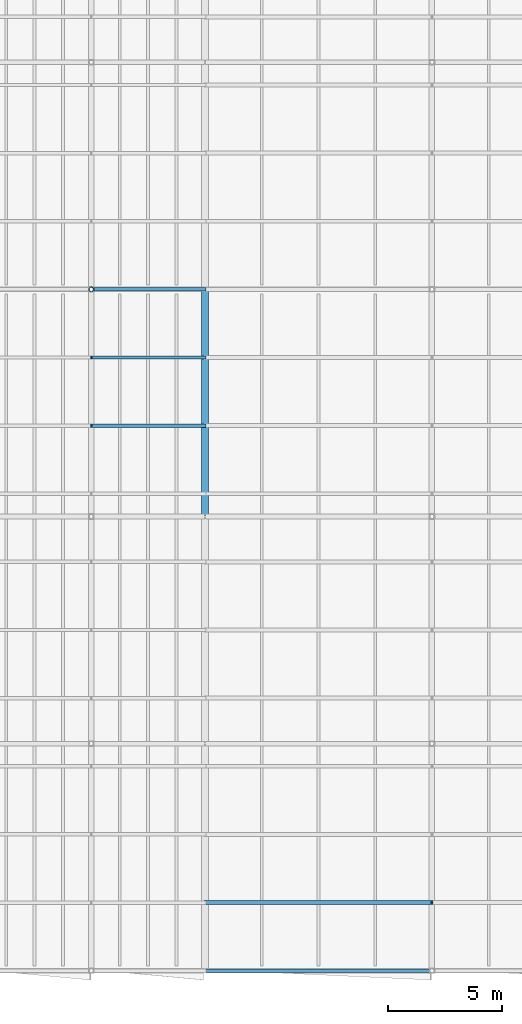
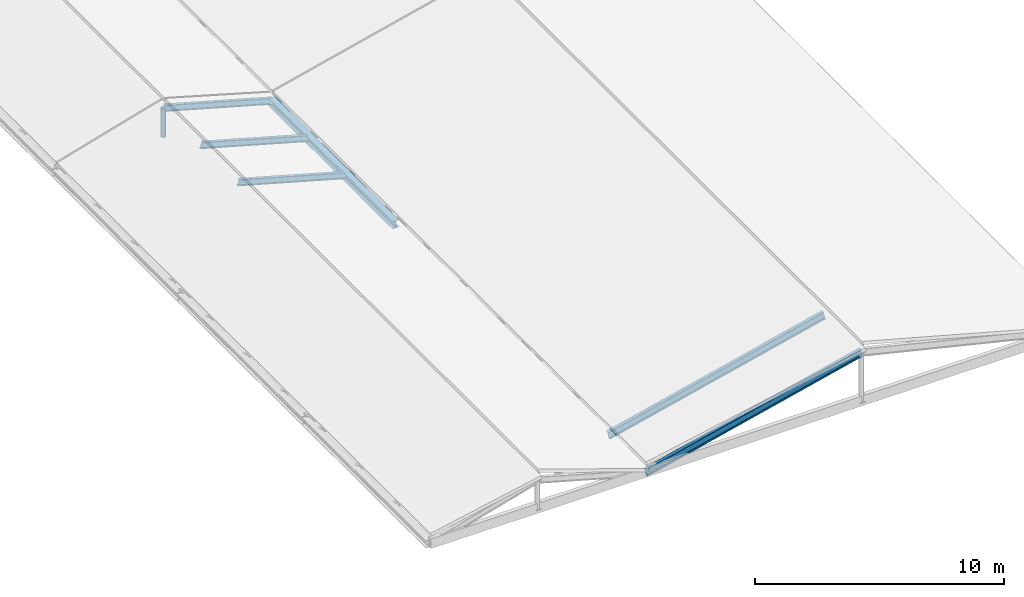
# One storey, part 59 of 90: 6 members, 1 beam.
"""IFC4 building model written with IfcOpenShell, lengths in metres."""

from ifc_helpers import new_model, si_unit, direction, frame, origin, origin_2d, place, context, subcontext, project, spatial, hollow_circle, i_section, extrude, material, material_profile, profile_set, type_object, element, save


model = new_model("IFC4")

# Units and contexts
model_context = context("Model", 3, precision=1e-05, world=origin(), true_north=direction((0.0, 1.0)))
body_context = subcontext(model_context, "Body", "Model", "MODEL_VIEW")
ifc_project = project(units=[si_unit("LENGTHUNIT", "METRE"), si_unit("AREAUNIT", "SQUARE_METRE"), si_unit("VOLUMEUNIT", "CUBIC_METRE"), si_unit("PLANEANGLEUNIT", "RADIAN"), si_unit("MASSUNIT", "GRAM", prefix="KILO"), si_unit("THERMODYNAMICTEMPERATUREUNIT", "KELVIN"), si_unit("POWERUNIT", "WATT")], contexts=[model_context])

# Site, building, storey
site_placement = place(None, origin())
site = spatial("IfcSite", under=ifc_project, at=site_placement, CompositionType="ELEMENT")
building_placement = place(site_placement, origin())
building = spatial("IfcBuilding", under=site, at=building_placement, Name="Korenveer Ferry Terminal", CompositionType="ELEMENT")
storey_placement = place(building_placement, frame((0.0, 0.0, 22.199951171875)))
storey = spatial("IfcBuildingStorey", under=building, at=storey_placement, Name="RF", CompositionType="ELEMENT", Elevation=22.199951171875)

# Beam
ifc_material = material(Name="Steel S355", Category="steel")
ifc_material_profile_1 = material_profile(ifc_material, i_section(OverallWidth=0.300048828125, OverallDepth=0.360107421875, WebThickness=0.012451171875, FlangeThickness=0.0224609375, FilletRadius=0.027099609375, at=origin_2d()), Name="HEB 360")
ifc_profile_set_1 = profile_set([ifc_material_profile_1], Name="Steel S355")
beam_type = type_object("IfcBeamType", Name="STR-BM-HEB360", PredefinedType="BEAM", material=ifc_profile_set_1)
beam_placement = place(storey_placement, frame((156.0, 40.02001953125, -7.619873046875), z_axis=(0.0, 1.0, 0.0), x_axis=(-1.0, 0.0, 0.0)))
element("IfcBeam", 1, at=beam_placement, inside=storey, type_object=beam_type, Name="Wing eave beam EAST 140", PredefinedType="BEAM", context=body_context, shape_type="SweptSolid", body=[
    extrude(i_section(OverallWidth=0.300048828125, OverallDepth=0.360107421875, WebThickness=0.012451171875, FlangeThickness=0.0224609375, FilletRadius=0.027099609375, at=origin_2d()), origin(), (0.0, 0.0, 1.0), 9.9599609375),
])

# Members
ifc_material_profile_2 = material_profile(ifc_material, i_section(OverallWidth=0.14990234375, OverallDepth=0.300048828125, WebThickness=0.007080078125, FlangeThickness=0.0107421875, FilletRadius=0.014892578125, at=origin_2d()), Name="IPE 300")
ifc_profile_set_2 = profile_set([ifc_material_profile_2], Name="Steel S355")
member_type_1 = type_object("IfcMemberType", Name="STR-RAF-IPE300", PredefinedType="RAFTER", material=ifc_profile_set_2)
for number, where, z_axis, x_axis, name in (
    (2, (151.0, 44.0, -6.219970703125), (0.962968902935, 0.0, -0.269612484836), (0.0, 1.0, 0.0), "Pitched roof rafter 60"),
    (3, (151.0, 47.0, -6.219970703125), (0.962968902935, 0.0, -0.269612484836), (0.0, 1.0, 0.0), "Pitched roof rafter 62"),
    (4, (151.0, 50.0, -6.219970703125), (0.962968902935, 0.0, -0.269612484836), (0.0, 1.0, 0.0), "Pitched roof rafter 64"),
):
    element("IfcMember", number, at=place(storey_placement, frame(where, z_axis=z_axis, x_axis=x_axis)), inside=storey, type_object=member_type_1, Name=name, PredefinedType="RAFTER", context=body_context, shape_type="SweptSolid", body=[
        extrude(i_section(OverallWidth=0.14990234375, OverallDepth=0.300048828125, WebThickness=0.007080078125, FlangeThickness=0.0107421875, FilletRadius=0.014892578125, at=origin_2d()), origin(), (0.0, 0.0, 1.0), 5.1923828125),
    ])
ifc_material_profile_3 = material_profile(ifc_material, i_section(OverallWidth=0.169921875, OverallDepth=0.360107421875, WebThickness=0.008056640625, FlangeThickness=0.0126953125, FilletRadius=0.01806640625, at=origin_2d()), Name="IPE 360")
ifc_profile_set_3 = profile_set([ifc_material_profile_3], Name="Steel S355")
member_type_2 = type_object("IfcMemberType", Name="STR-RAF-IPE360", PredefinedType="RAFTER", material=ifc_profile_set_3)
for number, where, z_axis, x_axis, name in (
    (5, (156.0, 20.0, -7.619873046875), (0.972389456854, 0.0, 0.233363973654), (0.0, 1.0, 0.0), "Pitched roof rafter 1"),
    (6, (156.0, 23.0, -7.619873046875), (0.972389456854, 0.0, 0.233363973654), (0.0, 1.0, 0.0), "Pitched roof rafter 3"),
):
    element("IfcMember", number, at=place(storey_placement, frame(where, z_axis=z_axis, x_axis=x_axis)), inside=storey, type_object=member_type_2, Name=name, PredefinedType="RAFTER", context=body_context, shape_type="SweptSolid", body=[
        extrude(i_section(OverallWidth=0.169921875, OverallDepth=0.360107421875, WebThickness=0.008056640625, FlangeThickness=0.0126953125, FilletRadius=0.01806640625, at=origin_2d()), origin(), (0.0, 0.0, 1.0), 10.283935546875),
    ])
ifc_material_profile_4 = material_profile(ifc_material, hollow_circle(Radius=0.109619140625, WallThickness=0.012451171875, at=origin_2d()), Name="CHS 219.1x12.5")
ifc_profile_set_4 = profile_set([ifc_material_profile_4], Name="Steel S355")
member_type_3 = type_object("IfcMemberType", Name="STR-STT-CHS219", PredefinedType="STRUT", material=ifc_profile_set_4)
member_placement = place(storey_placement, frame((151.0, 50.0, -7.619873046875), z_axis=(0.0, 0.0, 1.0), x_axis=(1.0, 0.0, 0.0)))
element("IfcMember", 7, at=member_placement, inside=storey, type_object=member_type_3, Name="Wing ridge strut STTWR-EASTC-Y50", PredefinedType="STRUT", context=body_context, shape_type="SweptSolid", body=[
    extrude(hollow_circle(Radius=0.109619140625, WallThickness=0.012451171875, at=origin_2d()), origin(), (0.0, 0.0, 1.0), 1.39990234375),
])

save(model, "model.ifc")
